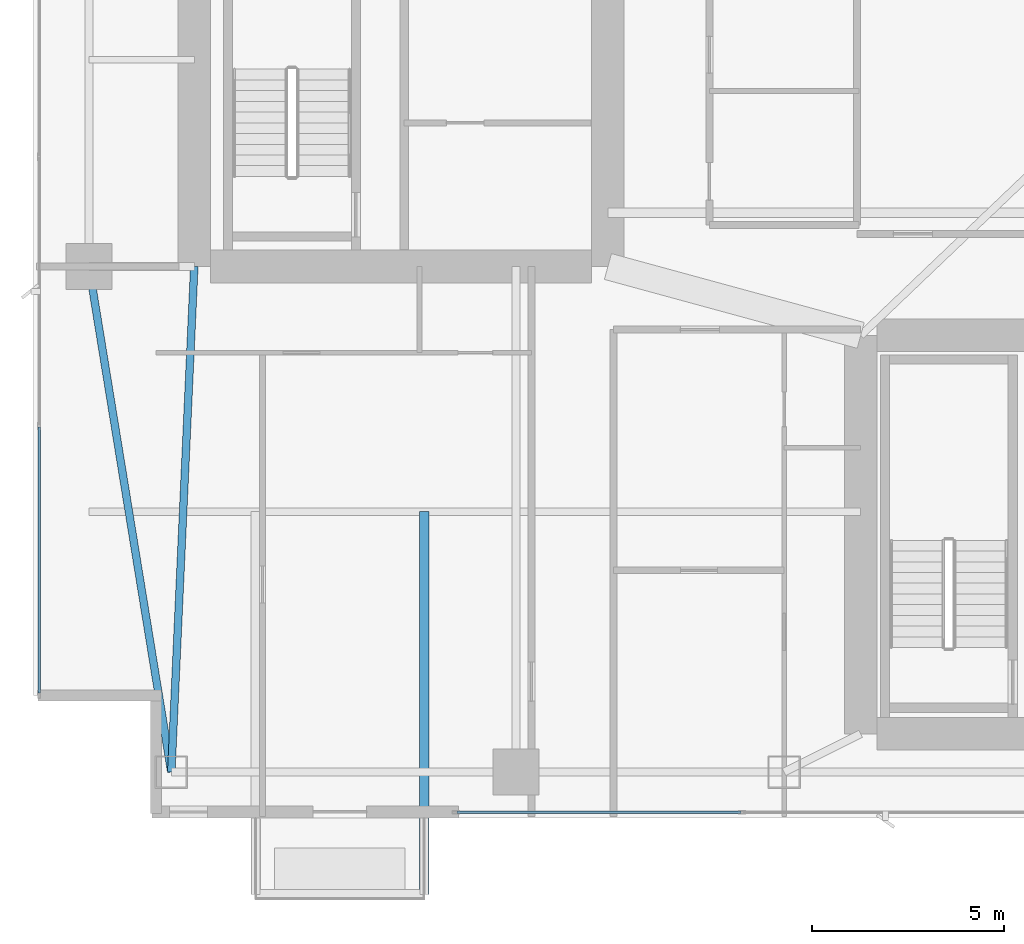
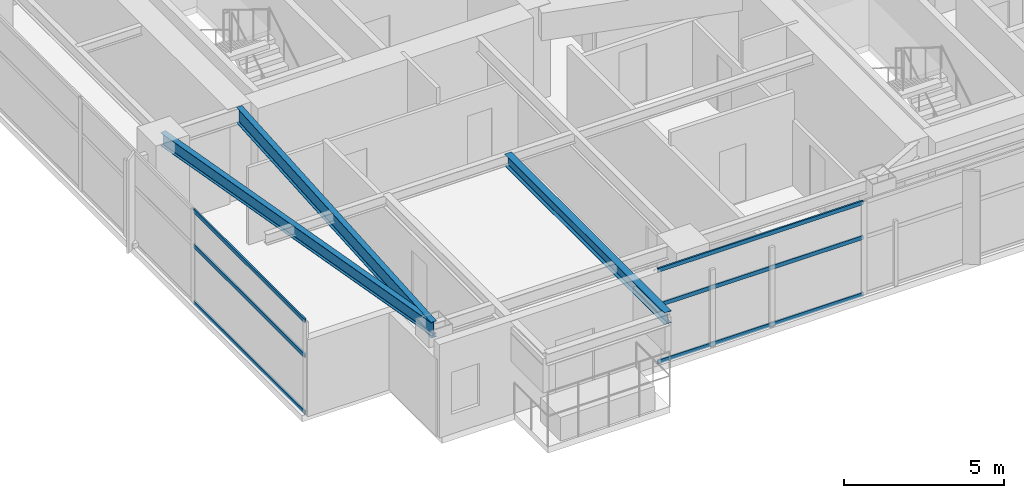
# One storey, part 3 of 29: 6 members, 3 beams, 2 elements without a shape of their own.
"""IFC4 building model written with IfcOpenShell, lengths in metres."""

from ifc_helpers import new_model, si_unit, direction, frame, origin, origin_2d, place, context, subcontext, project, spatial, hollow_rectangle, i_section, extrude, material, layer, layer_set, material_profile, profile_set, type_object, element, aggregate, save


model = new_model("IFC4")

# Units and contexts
model_context = context("Model", 3, precision=1e-05, world=origin(), true_north=direction((0.0, 1.0)))
body_context = subcontext(model_context, "Body", "Model", "MODEL_VIEW")
ifc_project = project(units=[si_unit("LENGTHUNIT", "METRE"), si_unit("AREAUNIT", "SQUARE_METRE"), si_unit("VOLUMEUNIT", "CUBIC_METRE"), si_unit("PLANEANGLEUNIT", "RADIAN"), si_unit("MASSUNIT", "GRAM", prefix="KILO")], contexts=[model_context])

# Site, building, storey
site_placement = place(None, origin())
site = spatial("IfcSite", under=ifc_project, at=site_placement, CompositionType="ELEMENT")
building_placement = place(site_placement, origin())
building = spatial("IfcBuilding", under=site, at=building_placement, Name="Calvorn Quay Hotel", CompositionType="ELEMENT")
storey_placement = place(building_placement, frame((0.0, 0.0, 175.10009765625)))
storey = spatial("IfcBuildingStorey", under=building, at=storey_placement, Name="L43", CompositionType="ELEMENT", Elevation=175.10009765625)

# Beams
ifc_material_1 = material(Name="Steel Q355B", Category="steel")
ifc_material_profile_1 = material_profile(ifc_material_1, i_section(OverallWidth=0.25, OverallDepth=0.449951171875, WebThickness=0.011962890625, FlangeThickness=0.01611328125, FilletRadius=0.01611328125, at=origin_2d()), Name="HN450x250x12x16")
ifc_profile_set_1 = profile_set([ifc_material_profile_1], Name="Steel Q355B")
beam_type_1 = type_object("IfcBeamType", Name="BM-CANT-BALC", PredefinedType="BEAM", material=ifc_profile_set_1)
beam_1_placement = place(storey_placement, frame((10.199951171875, 10.39990234375, 3.31494140625), z_axis=(0.0, -1.0, 0.0), x_axis=(1.0, 0.0, 0.0)))
element("IfcBeam", 1, at=beam_1_placement, inside=storey, type_object=beam_type_1, Name="Cantilever Balcony Beam BCB-L44-2B", PredefinedType="BEAM", context=body_context, shape_type="SweptSolid", body=[
    extrude(i_section(OverallWidth=0.25, OverallDepth=0.449951171875, WebThickness=0.011962890625, FlangeThickness=0.01611328125, FilletRadius=0.01611328125, at=origin_2d()), origin(), (0.0, 0.0, 1.0), 9.989990234375),
])
ifc_material_2 = material(Name="Steel Q355B", Category="steel")
ifc_material_profile_2 = material_profile(ifc_material_2, i_section(OverallWidth=0.199951171875, OverallDepth=0.60009765625, WebThickness=0.010986328125, FlangeThickness=0.01708984375, FilletRadius=0.01806640625, at=origin_2d()), Name="HN600x200x11x17")
ifc_profile_set_2 = profile_set([ifc_material_profile_2], Name="Steel Q355B")
beam_type_2 = type_object("IfcBeamType", Name="BM-GIRD-TYP", PredefinedType="BEAM", material=ifc_profile_set_2)
beam_2_placement = place(storey_placement, frame((3.60009765625, 3.60009765625, 3.239990234375), z_axis=(0.045396765494, 0.998969035397, 0.0), x_axis=(-0.998969035397, 0.045396765494, 0.0)))
element("IfcBeam", 2, at=beam_2_placement, inside=storey, type_object=beam_type_2, Name="Beam BG-L43-W0", PredefinedType="BEAM", context=body_context, shape_type="SweptSolid", body=[
    extrude(i_section(OverallWidth=0.199951171875, OverallDepth=0.60009765625, WebThickness=0.010986328125, FlangeThickness=0.01708984375, FilletRadius=0.01806640625, at=origin_2d()), origin(), (0.0, 0.0, 1.0), 13.213623046875),
])
ifc_material_3 = material(Name="Steel Q355B", Category="steel")
ifc_material_profile_3 = material_profile(ifc_material_3, i_section(OverallWidth=0.199951171875, OverallDepth=0.5, WebThickness=0.010009765625, FlangeThickness=0.01611328125, FilletRadius=0.01611328125, at=origin_2d()), Name="HN500x200x10x16")
ifc_profile_set_3 = profile_set([ifc_material_profile_3], Name="Steel Q355B")
beam_type_3 = type_object("IfcBeamType", Name="BM-SPANDREL-Z1", PredefinedType="SPANDREL", material=ifc_profile_set_3)
beam_3_placement = place(storey_placement, frame((3.60009765625, 3.60009765625, 3.289794921875), z_axis=(-0.16077155054, 0.986991645627, 0.0), x_axis=(-0.986991645627, -0.16077155054, 0.0)))
element("IfcBeam", 3, at=beam_3_placement, inside=storey, type_object=beam_type_3, Name="Beam BSP-L43-W1", PredefinedType="SPANDREL", context=body_context, shape_type="SweptSolid", body=[
    extrude(i_section(OverallWidth=0.199951171875, OverallDepth=0.5, WebThickness=0.010009765625, FlangeThickness=0.01611328125, FilletRadius=0.01611328125, at=origin_2d()), origin(), (0.0, 0.0, 1.0), 13.3740234375),
])

# Curtain wall, members
ifc_material_4 = material(Name="Pale Anodised Aluminium and Low-E Glass", Category="aluminium")
ifc_layer = layer(ifc_material_4, 0.219970703125)
ifc_layer_set = layer_set([ifc_layer], Name="CW-SYS-Z2")
curtain_wall_type = type_object("IfcCurtainWallType", Name="CW-SYS-Z2", PredefinedType="NOTDEFINED", material=ifc_layer_set)
curtain_wall_1_placement = place(storey_placement, origin())
curtain_wall_1 = element("IfcCurtainWall", 4, at=curtain_wall_1_placement, inside=storey, type_object=curtain_wall_type, Name="Tower West Curtain Wall (L43)", PredefinedType="NOTDEFINED")
ifc_material_5 = material(Name="Pale Anodised Aluminium 6063-T6", Category="aluminium")
ifc_material_profile_4 = material_profile(ifc_material_5, hollow_rectangle(XDim=0.06005859375, YDim=0.14990234375, WallThickness=0.00341796875, at=origin_2d()), Name="ALU-T150x60x3.5")
ifc_profile_set_4 = profile_set([ifc_material_profile_4], Name="Pale Anodised Aluminium 6063-T6")
member_type = type_object("IfcMemberType", Name="CW-SYS-Z2-TRN", PredefinedType="USERDEFINED", material=ifc_profile_set_4)
member_1_placement = place(storey_placement, frame((0.14990234375, 5.659912109375, 0.02978515625), z_axis=(0.0, 1.0, 0.0), x_axis=(-1.0, 0.0, 0.0)))
member_1 = element("IfcMember", 5, at=member_1_placement, type_object=member_type, Name="CW-L43-W transom 1.1", ObjectType="TRANSOM", PredefinedType="USERDEFINED", context=body_context, shape_type="SweptSolid", body=[
    extrude(hollow_rectangle(XDim=0.06005859375, YDim=0.14990234375, WallThickness=0.00341796875, at=origin_2d()), origin(), (0.0, 0.0, 1.0), 6.943359375),
])
member_2_placement = place(storey_placement, frame((0.14990234375, 5.659912109375, 2.199951171875), z_axis=(0.0, 1.0, 0.0), x_axis=(-1.0, 0.0, 0.0)))
member_2 = element("IfcMember", 6, at=member_2_placement, type_object=member_type, Name="CW-L43-W transom 1.2", ObjectType="TRANSOM", PredefinedType="USERDEFINED", context=body_context, shape_type="SweptSolid", body=[
    extrude(hollow_rectangle(XDim=0.06005859375, YDim=0.14990234375, WallThickness=0.00341796875, at=origin_2d()), origin(), (0.0, 0.0, 1.0), 6.943359375),
])
member_3_placement = place(storey_placement, frame((0.14990234375, 5.659912109375, 3.52978515625), z_axis=(0.0, 1.0, 0.0), x_axis=(-1.0, 0.0, 0.0)))
member_3 = element("IfcMember", 7, at=member_3_placement, type_object=member_type, Name="CW-L43-W transom 1.3", ObjectType="TRANSOM", PredefinedType="USERDEFINED", context=body_context, shape_type="SweptSolid", body=[
    extrude(hollow_rectangle(XDim=0.06005859375, YDim=0.14990234375, WallThickness=0.00341796875, at=origin_2d()), origin(), (0.0, 0.0, 1.0), 6.943359375),
])
aggregate(curtain_wall_1, [member_1, member_2, member_3])

curtain_wall_2_placement = place(storey_placement, origin())
curtain_wall_2 = element("IfcCurtainWall", 8, at=curtain_wall_2_placement, inside=storey, type_object=curtain_wall_type, Name="Tower South Waterfront Curtain Wall (L43)", PredefinedType="NOTDEFINED")
member_4_placement = place(storey_placement, frame((11.06005859375, 2.550048828125, 0.02978515625), z_axis=(1.0, 0.0, 0.0), x_axis=(0.0, 1.0, 0.0)))
member_4 = element("IfcMember", 9, at=member_4_placement, type_object=member_type, Name="CW-L43-S transom 1.1", ObjectType="TRANSOM", PredefinedType="USERDEFINED", context=body_context, shape_type="SweptSolid", body=[
    extrude(hollow_rectangle(XDim=0.06005859375, YDim=0.14990234375, WallThickness=0.00341796875, at=origin_2d()), origin(), (0.0, 0.0, 1.0), 7.409912109375),
])
member_5_placement = place(storey_placement, frame((11.06005859375, 2.550048828125, 2.199951171875), z_axis=(1.0, 0.0, 0.0), x_axis=(0.0, 1.0, 0.0)))
member_5 = element("IfcMember", 10, at=member_5_placement, type_object=member_type, Name="CW-L43-S transom 1.2", ObjectType="TRANSOM", PredefinedType="USERDEFINED", context=body_context, shape_type="SweptSolid", body=[
    extrude(hollow_rectangle(XDim=0.06005859375, YDim=0.14990234375, WallThickness=0.00341796875, at=origin_2d()), origin(), (0.0, 0.0, 1.0), 7.409912109375),
])
member_6_placement = place(storey_placement, frame((11.06005859375, 2.550048828125, 3.52978515625), z_axis=(1.0, 0.0, 0.0), x_axis=(0.0, 1.0, 0.0)))
member_6 = element("IfcMember", 11, at=member_6_placement, type_object=member_type, Name="CW-L43-S transom 1.3", ObjectType="TRANSOM", PredefinedType="USERDEFINED", context=body_context, shape_type="SweptSolid", body=[
    extrude(hollow_rectangle(XDim=0.06005859375, YDim=0.14990234375, WallThickness=0.00341796875, at=origin_2d()), origin(), (0.0, 0.0, 1.0), 7.409912109375),
])
aggregate(curtain_wall_2, [member_4, member_5, member_6])

save(model, "model.ifc")
